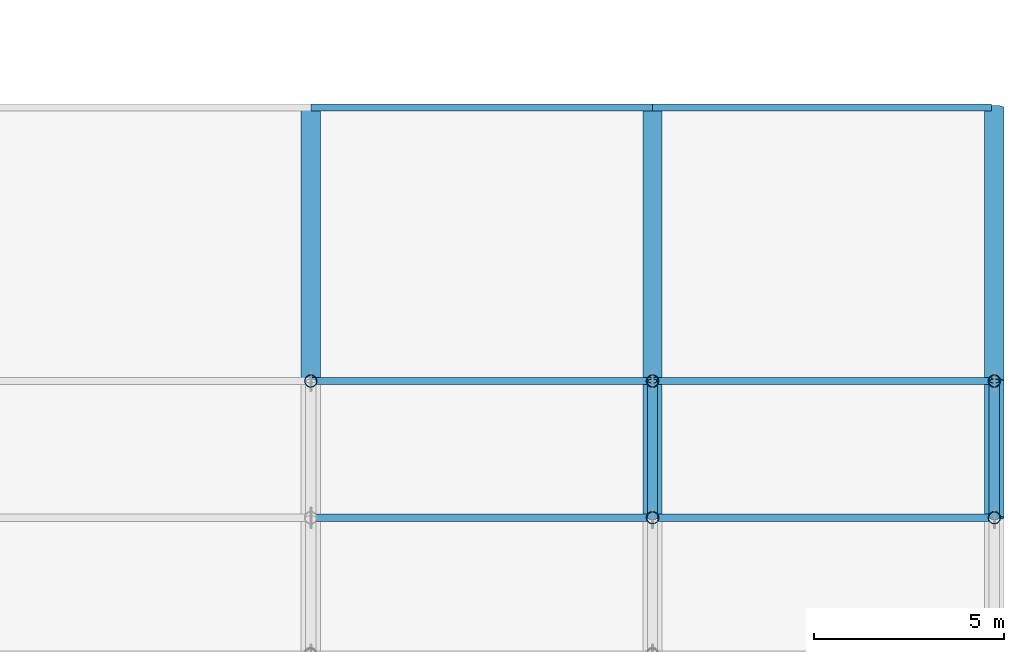
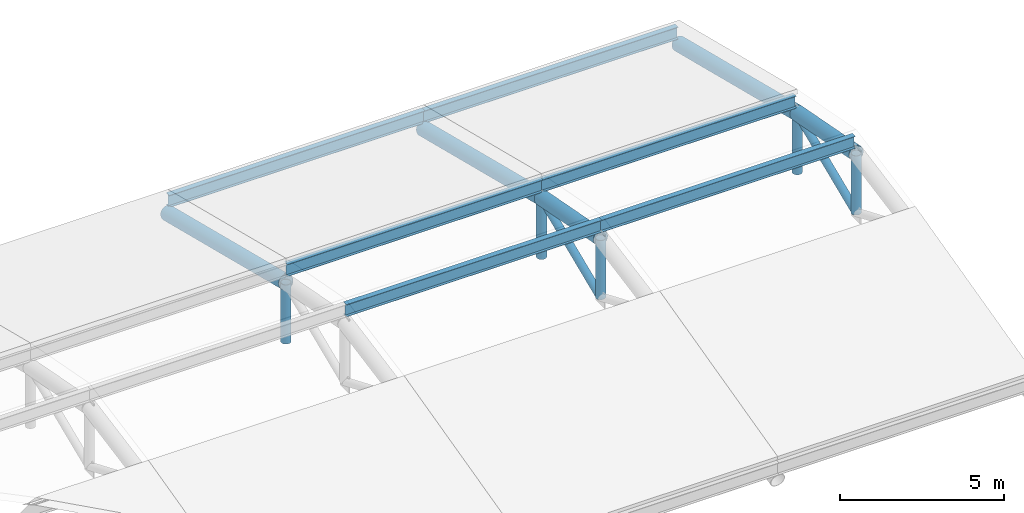
# One storey, part 40 of 52: 18 members.
"""IFC4 building model written with IfcOpenShell, lengths in metres."""

from ifc_helpers import new_model, si_unit, direction, frame, origin, origin_2d, place, context, subcontext, project, spatial, hollow_circle, i_section, extrude, material, material_profile, profile_set, type_object, element, save


model = new_model("IFC4")

# Units and contexts
model_context = context("Model", 3, precision=1e-05, world=origin(), true_north=direction((0.0, 1.0)))
body_context = subcontext(model_context, "Body", "Model", "MODEL_VIEW")
ifc_project = project(units=[si_unit("LENGTHUNIT", "METRE"), si_unit("AREAUNIT", "SQUARE_METRE"), si_unit("VOLUMEUNIT", "CUBIC_METRE"), si_unit("PLANEANGLEUNIT", "RADIAN"), si_unit("MASSUNIT", "GRAM", prefix="KILO")], contexts=[model_context])

# Site, building, storey
site_placement = place(None, origin())
site = spatial("IfcSite", under=ifc_project, at=site_placement, CompositionType="ELEMENT")
building_placement = place(site_placement, origin())
building = spatial("IfcBuilding", under=site, at=building_placement, Name="Celestram Park Convention Centre", CompositionType="ELEMENT")
storey_placement = place(building_placement, frame((0.0, 0.0, 24.300048828125)))
storey = spatial("IfcBuildingStorey", under=building, at=storey_placement, Name="L05", CompositionType="ELEMENT", Elevation=24.300048828125)

# Members
ifc_material_1 = material(Name="Steel ASTM A500 Grade C", Category="steel")
ifc_material_profile_1 = material_profile(ifc_material_1, hollow_circle(Radius=0.136474609375, WallThickness=0.010009765625, at=origin_2d()), Name="CHS273X10")
ifc_profile_set_1 = profile_set([ifc_material_profile_1], Name="Steel ASTM A500 Grade C")
member_type_1 = type_object("IfcMemberType", Name="STR-BRC-CHS273", PredefinedType="BRACE", material=ifc_profile_set_1)
for number, where, z_axis, x_axis, name in (
    (1, (207.0, 140.39990234375, 0.2138671875), (0.0, 0.921654198179, 0.388012292303), (-1.0, 0.0, 0.0), "V2 arch web diagonal"),
    (2, (216.0, 140.39990234375, 0.2138671875), (0.0, 0.921654198179, 0.388012292303), (-1.0, 0.0, 0.0), "V2 arch web diagonal"),
):
    element("IfcMember", number, at=place(storey_placement, frame(where, z_axis=z_axis, x_axis=x_axis)), inside=storey, type_object=member_type_1, Name=name, PredefinedType="BRACE", context=body_context, shape_type="SweptSolid", body=[
        extrude(hollow_circle(Radius=0.136474609375, WallThickness=0.010009765625, at=origin_2d()), origin(), (0.0, 0.0, 1.0), 3.906005859375),
    ])
ifc_material_profile_2 = material_profile(ifc_material_1, hollow_circle(Radius=0.25390625, WallThickness=0.01611328125, at=origin_2d()), Name="CHS508X16")
ifc_profile_set_2 = profile_set([ifc_material_profile_2], Name="Steel ASTM A500 Grade C")
member_type_2 = type_object("IfcMemberType", Name="STR-CHD-CHS508", PredefinedType="CHORD", material=ifc_profile_set_2)
member_1_placement = place(storey_placement, frame((198.0, 144.0, 1.7294921875), z_axis=(0.0, 0.970179256757, -0.242388551212), x_axis=(-1.0, 0.0, 0.0)))
element("IfcMember", 3, at=member_1_placement, inside=storey, type_object=member_type_2, Name="V2 arch top chord", PredefinedType="CHORD", context=body_context, shape_type="SweptSolid", body=[
    extrude(hollow_circle(Radius=0.25390625, WallThickness=0.01611328125, at=origin_2d()), origin(), (0.0, 0.0, 1.0), 7.421142578125),
])
member_2_placement = place(storey_placement, frame((207.0, 140.39990234375, 2.4140625), z_axis=(0.0, 0.982396830529, -0.186805961807), x_axis=(-1.0, 0.0, 0.0)))
element("IfcMember", 4, at=member_2_placement, inside=storey, type_object=member_type_2, Name="V2 arch top chord", PredefinedType="CHORD", context=body_context, shape_type="SweptSolid", body=[
    extrude(hollow_circle(Radius=0.25390625, WallThickness=0.01611328125, at=origin_2d()), origin(), (0.0, 0.0, 1.0), 3.66455078125),
])
member_3_placement = place(storey_placement, frame((207.0, 144.0, 1.7294921875), z_axis=(0.0, 0.970179256757, -0.242388551212), x_axis=(-1.0, 0.0, 0.0)))
element("IfcMember", 5, at=member_3_placement, inside=storey, type_object=member_type_2, Name="V2 arch top chord", PredefinedType="CHORD", context=body_context, shape_type="SweptSolid", body=[
    extrude(hollow_circle(Radius=0.25390625, WallThickness=0.01611328125, at=origin_2d()), origin(), (0.0, 0.0, 1.0), 7.421142578125),
])
member_4_placement = place(storey_placement, frame((216.0, 140.39990234375, 2.4140625), z_axis=(0.0, 0.982396830529, -0.186805961807), x_axis=(-1.0, 0.0, 0.0)))
element("IfcMember", 6, at=member_4_placement, inside=storey, type_object=member_type_2, Name="V2 arch top chord", PredefinedType="CHORD", context=body_context, shape_type="SweptSolid", body=[
    extrude(hollow_circle(Radius=0.25390625, WallThickness=0.01611328125, at=origin_2d()), origin(), (0.0, 0.0, 1.0), 3.66455078125),
])
member_5_placement = place(storey_placement, frame((216.0, 144.0, 1.7294921875), z_axis=(0.0, 0.970179256757, -0.242388551212), x_axis=(-1.0, 0.0, 0.0)))
element("IfcMember", 7, at=member_5_placement, inside=storey, type_object=member_type_2, Name="V2 arch top chord", PredefinedType="CHORD", context=body_context, shape_type="SweptSolid", body=[
    extrude(hollow_circle(Radius=0.25390625, WallThickness=0.01611328125, at=origin_2d()), origin(), (0.0, 0.0, 1.0), 7.421142578125),
])
ifc_material_2 = material(Name="Steel ASTM A992 Grade 50", Category="steel")
ifc_material_profile_3 = material_profile(ifc_material_2, i_section(OverallWidth=0.19091796875, OverallDepth=0.45703125, WebThickness=0.009033203125, FlangeThickness=0.014404296875, at=origin_2d()), Name="W18X50")
ifc_profile_set_3 = profile_set([ifc_material_profile_3], Name="Steel ASTM A992 Grade 50")
member_type_3 = type_object("IfcMemberType", Name="STR-RFT-W18X50", PredefinedType="RAFTER", material=ifc_profile_set_3)
for number, where, z_axis, x_axis, name in (
    (8, (198.0, 140.39990234375, 2.896484375), (1.0, 0.0, 0.0), (0.0, 1.0, 0.0), "V2 roof purlin"),
    (9, (198.0, 144.0, 2.2119140625), (1.0, 0.0, 0.0), (0.0, 1.0, 0.0), "V2 roof purlin"),
    (10, (198.0, 151.199951171875, 0.4130859375), (1.0, 0.0, 0.0), (0.0, 1.0, 0.0), "V2 roof purlin"),
):
    element("IfcMember", number, at=place(storey_placement, frame(where, z_axis=z_axis, x_axis=x_axis)), inside=storey, type_object=member_type_3, Name=name, PredefinedType="RAFTER", context=body_context, shape_type="SweptSolid", body=[
        extrude(i_section(OverallWidth=0.19091796875, OverallDepth=0.45703125, WebThickness=0.009033203125, FlangeThickness=0.014404296875, at=origin_2d()), origin(), (0.0, 0.0, 1.0), 9.0),
    ])
for number, where, z_axis, x_axis, name in (
    (11, (207.0, 140.39990234375, 2.896484375), (1.0, 0.0, 0.0), (0.0, 1.0, 0.0), "V2 roof purlin"),
    (12, (207.0, 144.0, 2.2119140625), (1.0, 0.0, 0.0), (0.0, 1.0, 0.0), "V2 roof purlin"),
    (13, (207.0, 151.199951171875, 0.4130859375), (1.0, 0.0, 0.0), (0.0, 1.0, 0.0), "V2 roof purlin"),
):
    element("IfcMember", number, at=place(storey_placement, frame(where, z_axis=z_axis, x_axis=x_axis)), inside=storey, type_object=member_type_3, Name=name, PredefinedType="RAFTER", context=body_context, shape_type="SweptSolid", body=[
        extrude(i_section(OverallWidth=0.19091796875, OverallDepth=0.45703125, WebThickness=0.009033203125, FlangeThickness=0.014404296875, at=origin_2d()), origin(), (0.0, 0.0, 1.0), 8.919921875),
    ])
ifc_material_profile_4 = material_profile(ifc_material_1, hollow_circle(Radius=0.162109375, WallThickness=0.011962890625, at=origin_2d()), Name="CHS324X12")
ifc_profile_set_4 = profile_set([ifc_material_profile_4], Name="Steel ASTM A500 Grade C")
member_type_4 = type_object("IfcMemberType", Name="STR-STR-CHS324", PredefinedType="STRUT", material=ifc_profile_set_4)
member_6_placement = place(storey_placement, frame((198.0, 144.0, -0.470458984375), z_axis=(0.0, 0.0, 1.0), x_axis=(1.0, 0.0, 0.0)))
element("IfcMember", 14, at=member_6_placement, inside=storey, type_object=member_type_4, Name="V2 arch vertical strut", PredefinedType="STRUT", context=body_context, shape_type="SweptSolid", body=[
    extrude(hollow_circle(Radius=0.162109375, WallThickness=0.011962890625, at=origin_2d()), origin(), (0.0, 0.0, 1.0), 2.199951171875),
])
member_7_placement = place(storey_placement, frame((207.0, 140.39990234375, 0.2138671875), z_axis=(0.0, 0.0, 1.0), x_axis=(1.0, 0.0, 0.0)))
element("IfcMember", 15, at=member_7_placement, inside=storey, type_object=member_type_4, Name="V2 arch vertical strut", PredefinedType="STRUT", context=body_context, shape_type="SweptSolid", body=[
    extrude(hollow_circle(Radius=0.162109375, WallThickness=0.011962890625, at=origin_2d()), origin(), (0.0, 0.0, 1.0), 2.2001953125),
])
member_8_placement = place(storey_placement, frame((207.0, 144.0, -0.470458984375), z_axis=(0.0, 0.0, 1.0), x_axis=(1.0, 0.0, 0.0)))
element("IfcMember", 16, at=member_8_placement, inside=storey, type_object=member_type_4, Name="V2 arch vertical strut", PredefinedType="STRUT", context=body_context, shape_type="SweptSolid", body=[
    extrude(hollow_circle(Radius=0.162109375, WallThickness=0.011962890625, at=origin_2d()), origin(), (0.0, 0.0, 1.0), 2.199951171875),
])
member_9_placement = place(storey_placement, frame((216.0, 140.39990234375, 0.2138671875), z_axis=(0.0, 0.0, 1.0), x_axis=(1.0, 0.0, 0.0)))
element("IfcMember", 17, at=member_9_placement, inside=storey, type_object=member_type_4, Name="V2 arch vertical strut", PredefinedType="STRUT", context=body_context, shape_type="SweptSolid", body=[
    extrude(hollow_circle(Radius=0.162109375, WallThickness=0.011962890625, at=origin_2d()), origin(), (0.0, 0.0, 1.0), 2.2001953125),
])
member_10_placement = place(storey_placement, frame((216.0, 144.0, -0.470458984375), z_axis=(0.0, 0.0, 1.0), x_axis=(1.0, 0.0, 0.0)))
element("IfcMember", 18, at=member_10_placement, inside=storey, type_object=member_type_4, Name="V2 arch vertical strut", PredefinedType="STRUT", context=body_context, shape_type="SweptSolid", body=[
    extrude(hollow_circle(Radius=0.162109375, WallThickness=0.011962890625, at=origin_2d()), origin(), (0.0, 0.0, 1.0), 2.199951171875),
])

save(model, "model.ifc")
